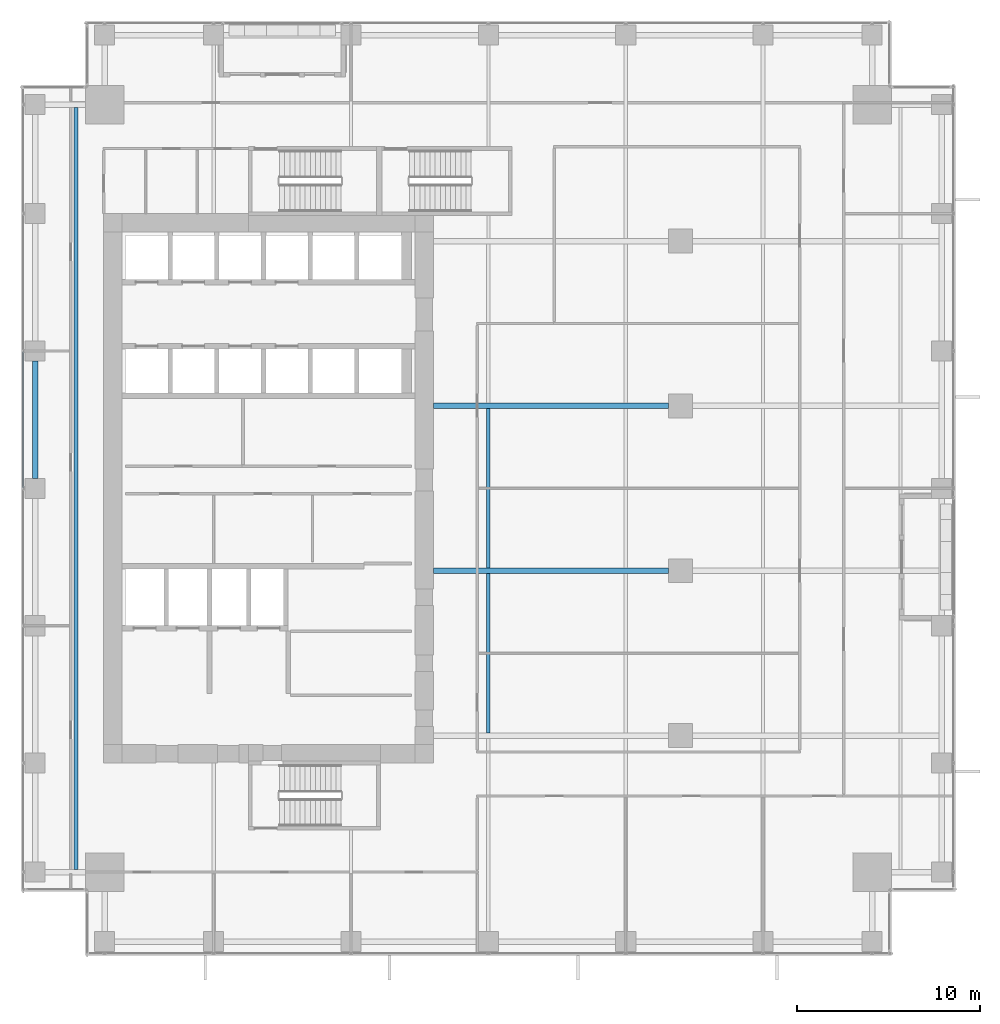
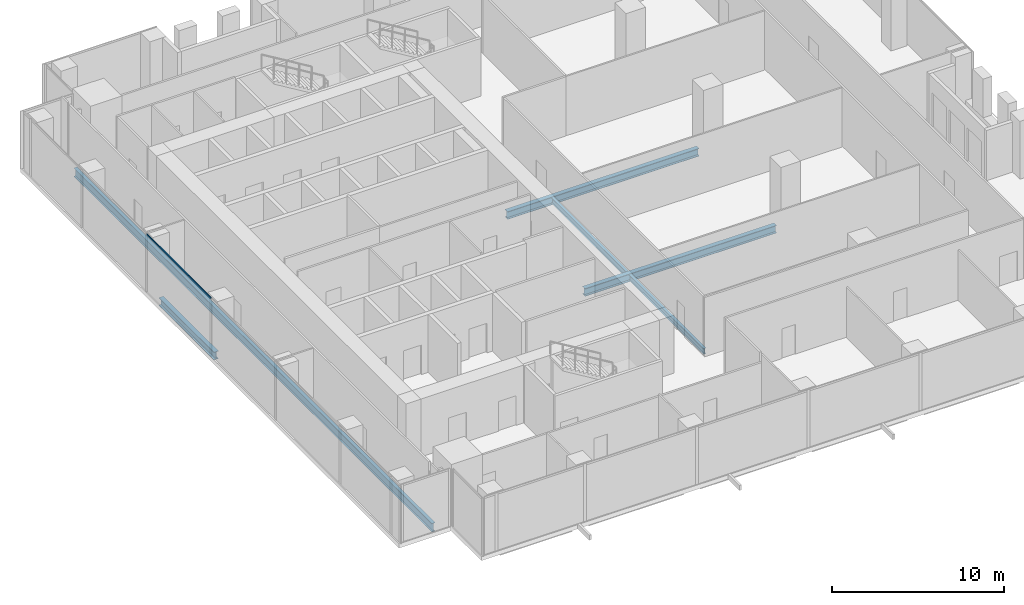
# One storey, part 8 of 34: 6 beams, 1 member, 1 element without a shape of its own.
"""IFC4 building model written with IfcOpenShell, lengths in metres."""

from ifc_helpers import new_model, si_unit, direction, frame, origin, origin_2d, place, context, subcontext, project, spatial, hollow_rectangle, i_section, extrude, source, transform, mapped, material, material_profile, profile_set, type_object, element, aggregate, save


model = new_model("IFC4")

# Units and contexts
model_context = context("Model", 3, precision=1e-05, world=origin(), true_north=direction((0.0, 1.0)))
body_context = subcontext(model_context, "Body", "Model", "MODEL_VIEW")
ifc_project = project(units=[si_unit("LENGTHUNIT", "METRE"), si_unit("AREAUNIT", "SQUARE_METRE"), si_unit("VOLUMEUNIT", "CUBIC_METRE"), si_unit("PLANEANGLEUNIT", "RADIAN"), si_unit("MASSUNIT", "GRAM", prefix="KILO")], contexts=[model_context])

# Site, building, storey
site_placement = place(None, origin())
site = spatial("IfcSite", under=ifc_project, at=site_placement, CompositionType="ELEMENT")
building_placement = place(site_placement, origin())
building = spatial("IfcBuilding", under=site, at=building_placement, Name="Khomas Fold Tower", CompositionType="ELEMENT")
storey_placement = place(building_placement, frame((0.0, 0.0, 110.300048828125)))
storey = spatial("IfcBuildingStorey", under=building, at=storey_placement, Name="L23", CompositionType="ELEMENT", Elevation=110.300048828125)

# Beams
ifc_material_1 = material(Name="Steel S355", Category="steel")
ifc_material_profile_1 = material_profile(ifc_material_1, i_section(OverallWidth=0.179931640625, OverallDepth=0.39990234375, WebThickness=0.008544921875, FlangeThickness=0.013427734375, at=origin_2d()), Name="IPE 400")
ifc_profile_set_1 = profile_set([ifc_material_profile_1], Name="Steel S355")
beam_type_1 = type_object("IfcBeamType", Name="IPE 400 beam JB3", PredefinedType="BEAM", material=ifc_profile_set_1)
shared_shape_1 = source(origin(), body_context, "Body", "SweptSolid", [
    extrude(i_section(OverallWidth=0.179931640625, OverallDepth=0.39990234375, WebThickness=0.008544921875, FlangeThickness=0.013427734375, at=origin_2d()), origin(), (0.0, 0.0, 1.0), 8.7001953125),
])
for number, where, z_axis, x_axis, name in (
    (1, (27.0, 13.64990234375, -0.5), (0.0, 1.0, 0.0), (-1.0, 0.0, 0.0), "JB3"),
    (2, (27.0, 22.64990234375, -0.5), (0.0, 1.0, 0.0), (-1.0, 0.0, 0.0), "JB3"),
):
    element("IfcBeam", number, at=place(storey_placement, frame(where, z_axis=z_axis, x_axis=x_axis)), inside=storey, type_object=beam_type_1, Name=name, PredefinedType="BEAM", context=body_context, shape_type="MappedRepresentation", body=[
        mapped(shared_shape_1, transform((0.0, 0.0, 0.0))),
    ])
ifc_material_2 = material(Name="Steel S355", Category="steel")
ifc_material_profile_2 = material_profile(ifc_material_2, i_section(OverallWidth=0.300048828125, OverallDepth=0.550048828125, WebThickness=0.014892578125, FlangeThickness=0.029052734375, at=origin_2d()), Name="HE 550 B")
ifc_profile_set_2 = profile_set([ifc_material_profile_2], Name="Steel S355")
beam_type_2 = type_object("IfcBeamType", Name="HE 550 B spandrel SB2", PredefinedType="SPANDREL", material=ifc_profile_set_2)
shared_shape_2 = source(origin(), body_context, "Body", "SweptSolid", [
    extrude(i_section(OverallWidth=0.300048828125, OverallDepth=0.550048828125, WebThickness=0.014892578125, FlangeThickness=0.029052734375, at=origin_2d()), origin(), (0.0, 0.0, 1.0), 6.39990234375),
])
beam_1_placement = place(storey_placement, frame((2.25, 27.550048828125, -0.574951171875), z_axis=(0.0, 1.0, 0.0), x_axis=(-1.0, 0.0, 0.0)))
element("IfcBeam", 3, at=beam_1_placement, inside=storey, type_object=beam_type_2, Name="SB2", PredefinedType="SPANDREL", context=body_context, shape_type="MappedRepresentation", body=[
    mapped(shared_shape_2, transform((0.0, 0.0, 0.0))),
])
ifc_material_3 = material(Name="Steel S355", Category="steel")
ifc_material_profile_3 = material_profile(ifc_material_3, i_section(OverallWidth=0.300048828125, OverallDepth=0.550048828125, WebThickness=0.014892578125, FlangeThickness=0.029052734375, at=origin_2d()), Name="HE 550 B")
ifc_profile_set_3 = profile_set([ifc_material_profile_3], Name="Steel S355")
beam_type_3 = type_object("IfcBeamType", Name="HE 550 B beam GB4", PredefinedType="BEAM", material=ifc_profile_set_3)
shared_shape_3 = source(origin(), body_context, "Body", "SweptSolid", [
    extrude(i_section(OverallWidth=0.300048828125, OverallDepth=0.550048828125, WebThickness=0.014892578125, FlangeThickness=0.029052734375, at=origin_2d()), origin(), (0.0, 0.0, 1.0), 12.85009765625),
])
for number, where, z_axis, x_axis, name in (
    (4, (24.0, 22.5, -0.574951171875), (1.0, 0.0, 0.0), (0.0, 1.0, 0.0), "GB4"),
    (5, (24.0, 31.5, -0.574951171875), (1.0, 0.0, 0.0), (0.0, 1.0, 0.0), "GB4"),
):
    element("IfcBeam", number, at=place(storey_placement, frame(where, z_axis=z_axis, x_axis=x_axis)), inside=storey, type_object=beam_type_3, Name=name, PredefinedType="BEAM", context=body_context, shape_type="MappedRepresentation", body=[
        mapped(shared_shape_3, transform((0.0, 0.0, 0.0))),
    ])
ifc_material_4 = material(Name="Steel S355", Category="steel")
ifc_material_profile_4 = material_profile(ifc_material_4, i_section(OverallWidth=0.219970703125, OverallDepth=0.60009765625, WebThickness=0.011962890625, FlangeThickness=0.01904296875, at=origin_2d()), Name="IPE 600")
ifc_profile_set_4 = profile_set([ifc_material_profile_4], Name="Steel S355")
beam_type_4 = type_object("IfcBeamType", Name="IPE 600 beam JB7", PredefinedType="BEAM", material=ifc_profile_set_4)
shared_shape_4 = source(origin(), body_context, "Body", "SweptSolid", [
    extrude(i_section(OverallWidth=0.219970703125, OverallDepth=0.60009765625, WebThickness=0.011962890625, FlangeThickness=0.01904296875, at=origin_2d()), origin(), (0.0, 0.0, 1.0), 41.60009765625),
])
beam_2_placement = place(storey_placement, frame((4.5, 6.199951171875, -0.60009765625), z_axis=(0.0, 1.0, 0.0), x_axis=(-1.0, 0.0, 0.0)))
element("IfcBeam", 6, at=beam_2_placement, inside=storey, type_object=beam_type_4, Name="JB7", PredefinedType="BEAM", context=body_context, shape_type="MappedRepresentation", body=[
    mapped(shared_shape_4, transform((0.0, 0.0, 0.0))),
])

# Curtain wall, member
ifc_material_5 = material(Name="Aluminium framed double glazing", Category="aluminium")
curtain_wall_type = type_object("IfcCurtainWallType", Name="SK-Unitised clear-glass wall, growing floors CW1", PredefinedType="NOTDEFINED", material=ifc_material_5)
curtain_wall_placement = place(storey_placement, origin())
curtain_wall = element("IfcCurtainWall", 7, at=curtain_wall_placement, inside=storey, type_object=curtain_wall_type, Name="CW1 run L23 09-0", PredefinedType="NOTDEFINED")
ifc_material_6 = material(Name="Aluminium", Category="aluminium")
ifc_material_profile_5 = material_profile(ifc_material_6, hollow_rectangle(XDim=0.06005859375, YDim=0.1201171875, WallThickness=0.00390625, at=origin_2d()), Name="SK-Unitised clear-glass wall, growing floors transom CW1-T")
ifc_profile_set_5 = profile_set([ifc_material_profile_5], Name="Aluminium")
member_type = type_object("IfcMemberType", Name="SK-Unitised clear-glass wall, growing floors transom CW1-T", PredefinedType="USERDEFINED", material=ifc_profile_set_5)
shared_shape_5 = source(origin(), body_context, "Body", "SweptSolid", [
    extrude(hollow_rectangle(XDim=0.06005859375, YDim=0.1201171875, WallThickness=0.00390625, at=origin_2d()), origin(), (0.0, 0.0, 1.0), 7.43994140625),
])
member_placement = place(storey_placement, frame((1.60009765625, 34.469970703125, 4.0400390625), z_axis=(0.0, -1.0, 0.0), x_axis=(1.0, 0.0, 0.0)))
member = element("IfcMember", 8, at=member_placement, type_object=member_type, Name="CW1 transom 4", ObjectType="TRANSOM", PredefinedType="USERDEFINED", context=body_context, shape_type="MappedRepresentation", body=[
    mapped(shared_shape_5, transform((0.0, 0.0, 0.0))),
])
aggregate(curtain_wall, [member])

save(model, "model.ifc")
